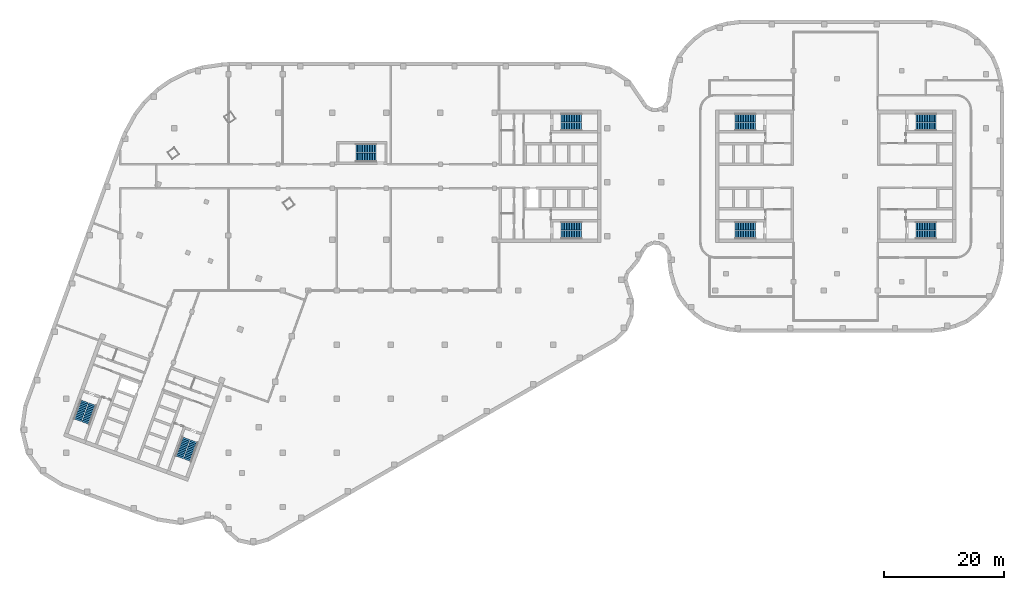
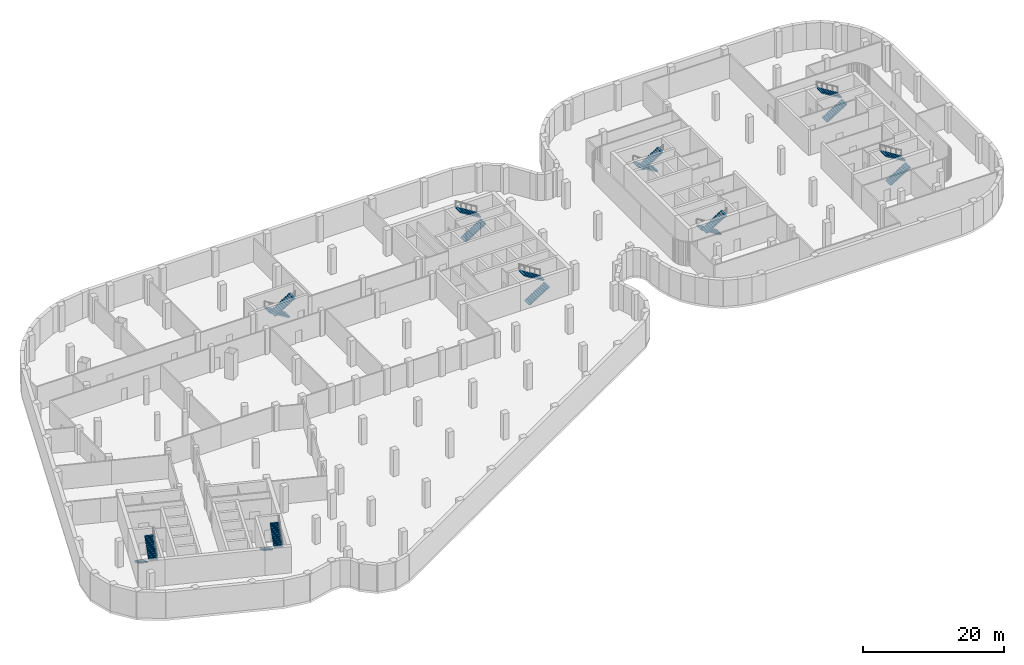
# One storey, part 14 of 16: 18 stair flights, 9 elements without a shape of their own.
"""IFC4 building model written with IfcOpenShell, lengths in metres."""

from ifc_helpers import new_model, si_unit, direction, frame, origin, place, context, subcontext, project, spatial, polyline, outline, extrude, material, type_object, element, aggregate, save


model = new_model("IFC4")

# Units and contexts
model_context = context("Model", 3, precision=1e-05, world=origin(), true_north=direction((0.0, 1.0)))
body_context = subcontext(model_context, "Body", "Model", "MODEL_VIEW")
ifc_project = project(units=[si_unit("LENGTHUNIT", "METRE"), si_unit("AREAUNIT", "SQUARE_METRE"), si_unit("VOLUMEUNIT", "CUBIC_METRE"), si_unit("PLANEANGLEUNIT", "RADIAN"), si_unit("MASSUNIT", "GRAM", prefix="KILO")], contexts=[model_context])

# Site, building, storey
site_placement = place(None, origin())
site = spatial("IfcSite", under=ifc_project, at=site_placement, CompositionType="ELEMENT")
building_placement = place(site_placement, origin())
building = spatial("IfcBuilding", under=site, at=building_placement, Name="Skarvind Civic Tower", CompositionType="ELEMENT")
storey_placement = place(building_placement, frame((0.0, 0.0, -4.5)))
storey = spatial("IfcBuildingStorey", under=building, at=storey_placement, Name="B1", CompositionType="ELEMENT", Elevation=-4.5)

# Stair, stair flights
ifc_material = material(Name="Concrete C40/50", Category="concrete")
stair_type_1 = type_object("IfcStairType", Name="Exit stair 1450, half-turn, concrete", PredefinedType="HALF_TURN_STAIR", material=ifc_material)
stair_1_placement = place(storey_placement, origin())
stair_1 = element("IfcStair", 1, at=stair_1_placement, inside=storey, type_object=stair_type_1, Name="Exit stair CM", PredefinedType="HALF_TURN_STAIR")
stair_flight_type_1 = type_object("IfcStairFlightType", Name="Stair flight 1450, concrete", PredefinedType="STRAIGHT", material=ifc_material)
stair_flight_1_placement = place(storey_placement, frame((70.550048828125, 132.675048828125, 0.0), z_axis=(0.0, 0.0, 1.0), x_axis=(-1.0, 0.0, 0.0)))
stair_flight_1 = element("IfcStairFlight", 2, at=stair_flight_1_placement, type_object=stair_flight_type_1, Name="ST-CM flight 1", NumberOfRisers=13, NumberOfTreads=12, PredefinedType="STRAIGHT", RiserHeight=0.173076923, TreadLength=0.28, context=body_context, shape_type="SweptSolid", body=[
    extrude(outline(polyline([(0.0, 0.0), (0.0, 0.173095703125), (0.280029296875, 0.173095703125), (0.280029296875, 0.34619140625), (0.56005859375, 0.34619140625), (0.56005859375, 0.519287109375), (0.840087890625, 0.519287109375), (0.840087890625, 0.6923828125), (1.1201171875, 0.6923828125), (1.1201171875, 0.865478515625), (1.39990234375, 0.865478515625), (1.39990234375, 1.03857421875), (1.679931640625, 1.03857421875), (1.679931640625, 1.21142578125), (1.9599609375, 1.21142578125), (1.9599609375, 1.384521484375), (2.239990234375, 1.384521484375), (2.239990234375, 1.5576171875), (2.52001953125, 1.5576171875), (2.52001953125, 1.730712890625), (2.800048828125, 1.730712890625), (2.800048828125, 1.90380859375), (3.080078125, 1.90380859375), (3.080078125, 2.076904296875), (3.360107421875, 2.076904296875), (3.360107421875, 2.25), (3.360107421875, 1.900634765625), (0.28515625, 0.0), (0.0, 0.0)])), frame((0.0, 0.72509765625, 0.0), z_axis=(0.0, -1.0, 0.0), x_axis=(1.0, 0.0, 0.0)), (0.0, 0.0, 1.0), 1.449951171875),
])
stair_flight_2_placement = place(storey_placement, frame((67.18994140625, 131.125, 2.25), z_axis=(0.0, 0.0, 1.0), x_axis=(1.0, 0.0, 0.0)))
stair_flight_2 = element("IfcStairFlight", 3, at=stair_flight_2_placement, type_object=stair_flight_type_1, Name="ST-CM flight 2", NumberOfRisers=13, NumberOfTreads=12, PredefinedType="STRAIGHT", RiserHeight=0.173076923, TreadLength=0.28, context=body_context, shape_type="SweptSolid", body=[
    extrude(outline(polyline([(0.0, 0.0), (0.0, 0.173095703125), (0.280029296875, 0.173095703125), (0.280029296875, 0.34619140625), (0.56005859375, 0.34619140625), (0.56005859375, 0.519287109375), (0.840087890625, 0.519287109375), (0.840087890625, 0.6923828125), (1.1201171875, 0.6923828125), (1.1201171875, 0.865478515625), (1.39990234375, 0.865478515625), (1.39990234375, 1.03857421875), (1.679931640625, 1.03857421875), (1.679931640625, 1.21142578125), (1.9599609375, 1.21142578125), (1.9599609375, 1.384521484375), (2.239990234375, 1.384521484375), (2.239990234375, 1.5576171875), (2.52001953125, 1.5576171875), (2.52001953125, 1.730712890625), (2.800048828125, 1.730712890625), (2.800048828125, 1.90380859375), (3.080078125, 1.90380859375), (3.080078125, 2.076904296875), (3.360107421875, 2.076904296875), (3.360107421875, 2.25), (3.360107421875, 1.900634765625), (0.28515625, 0.0), (0.0, 0.0)])), frame((0.0, 0.72509765625, 0.0), z_axis=(0.0, -1.0, 0.0), x_axis=(1.0, 0.0, 0.0)), (0.0, 0.0, 1.0), 1.449951171875),
])
aggregate(stair_1, [stair_flight_1, stair_flight_2])

stair_type_2 = type_object("IfcStairType", Name="Exit stair, half-turn, concrete", PredefinedType="HALF_TURN_STAIR", material=ifc_material)
stair_2_placement = place(storey_placement, origin())
stair_2 = element("IfcStair", 4, at=stair_2_placement, inside=storey, type_object=stair_type_2, Name="Exit stair C1S", PredefinedType="HALF_TURN_STAIR")
stair_flight_type_2 = type_object("IfcStairFlightType", Name="Stair flight, concrete", PredefinedType="STRAIGHT", material=ifc_material)
stair_flight_3_placement = place(storey_placement, frame((101.35009765625, 136.27490234375, 0.0), z_axis=(0.0, 0.0, 1.0), x_axis=(1.0, 0.0, 0.0)))
stair_flight_3 = element("IfcStairFlight", 5, at=stair_flight_3_placement, type_object=stair_flight_type_2, Name="ST-C1S flight 1", NumberOfRisers=13, NumberOfTreads=12, PredefinedType="STRAIGHT", RiserHeight=0.173076923, TreadLength=0.28, context=body_context, shape_type="SweptSolid", body=[
    extrude(outline(polyline([(0.0, 0.0), (0.0, 0.173095703125), (0.280029296875, 0.173095703125), (0.280029296875, 0.34619140625), (0.56005859375, 0.34619140625), (0.56005859375, 0.519287109375), (0.840087890625, 0.519287109375), (0.840087890625, 0.6923828125), (1.1201171875, 0.6923828125), (1.1201171875, 0.865478515625), (1.39990234375, 0.865478515625), (1.39990234375, 1.03857421875), (1.679931640625, 1.03857421875), (1.679931640625, 1.21142578125), (1.9599609375, 1.21142578125), (1.9599609375, 1.384521484375), (2.239990234375, 1.384521484375), (2.239990234375, 1.5576171875), (2.52001953125, 1.5576171875), (2.52001953125, 1.730712890625), (2.800048828125, 1.730712890625), (2.800048828125, 1.90380859375), (3.080078125, 1.90380859375), (3.080078125, 2.076904296875), (3.360107421875, 2.076904296875), (3.360107421875, 2.25), (3.360107421875, 1.900634765625), (0.28515625, 0.0), (0.0, 0.0)])), frame((0.0, 0.675048828125, 0.0), z_axis=(0.0, -1.0, 0.0), x_axis=(1.0, 0.0, 0.0)), (0.0, 0.0, 1.0), 1.35009765625),
])
stair_flight_4_placement = place(storey_placement, frame((104.7099609375, 137.72509765625, 2.25), z_axis=(0.0, 0.0, 1.0), x_axis=(-1.0, 0.0, 0.0)))
stair_flight_4 = element("IfcStairFlight", 6, at=stair_flight_4_placement, type_object=stair_flight_type_2, Name="ST-C1S flight 2", NumberOfRisers=13, NumberOfTreads=12, PredefinedType="STRAIGHT", RiserHeight=0.173076923, TreadLength=0.28, context=body_context, shape_type="SweptSolid", body=[
    extrude(outline(polyline([(0.0, 0.0), (0.0, 0.173095703125), (0.280029296875, 0.173095703125), (0.280029296875, 0.34619140625), (0.56005859375, 0.34619140625), (0.56005859375, 0.519287109375), (0.840087890625, 0.519287109375), (0.840087890625, 0.6923828125), (1.1201171875, 0.6923828125), (1.1201171875, 0.865478515625), (1.39990234375, 0.865478515625), (1.39990234375, 1.03857421875), (1.679931640625, 1.03857421875), (1.679931640625, 1.21142578125), (1.9599609375, 1.21142578125), (1.9599609375, 1.384521484375), (2.239990234375, 1.384521484375), (2.239990234375, 1.5576171875), (2.52001953125, 1.5576171875), (2.52001953125, 1.730712890625), (2.800048828125, 1.730712890625), (2.800048828125, 1.90380859375), (3.080078125, 1.90380859375), (3.080078125, 2.076904296875), (3.360107421875, 2.076904296875), (3.360107421875, 2.25), (3.360107421875, 1.900634765625), (0.28515625, 0.0), (0.0, 0.0)])), frame((0.0, 0.675048828125, 0.0), z_axis=(0.0, -1.0, 0.0), x_axis=(1.0, 0.0, 0.0)), (0.0, 0.0, 1.0), 1.35009765625),
])
aggregate(stair_2, [stair_flight_3, stair_flight_4])

stair_3_placement = place(storey_placement, origin())
stair_3 = element("IfcStair", 7, at=stair_3_placement, inside=storey, type_object=stair_type_2, Name="Exit stair C1N", PredefinedType="HALF_TURN_STAIR")
stair_flight_5_placement = place(storey_placement, frame((101.35009765625, 118.27490234375, 0.0), z_axis=(0.0, 0.0, 1.0), x_axis=(1.0, 0.0, 0.0)))
stair_flight_5 = element("IfcStairFlight", 8, at=stair_flight_5_placement, type_object=stair_flight_type_2, Name="ST-C1N flight 1", NumberOfRisers=13, NumberOfTreads=12, PredefinedType="STRAIGHT", RiserHeight=0.173076923, TreadLength=0.28, context=body_context, shape_type="SweptSolid", body=[
    extrude(outline(polyline([(0.0, 0.0), (0.0, 0.173095703125), (0.280029296875, 0.173095703125), (0.280029296875, 0.34619140625), (0.56005859375, 0.34619140625), (0.56005859375, 0.519287109375), (0.840087890625, 0.519287109375), (0.840087890625, 0.6923828125), (1.1201171875, 0.6923828125), (1.1201171875, 0.865478515625), (1.39990234375, 0.865478515625), (1.39990234375, 1.03857421875), (1.679931640625, 1.03857421875), (1.679931640625, 1.21142578125), (1.9599609375, 1.21142578125), (1.9599609375, 1.384521484375), (2.239990234375, 1.384521484375), (2.239990234375, 1.5576171875), (2.52001953125, 1.5576171875), (2.52001953125, 1.730712890625), (2.800048828125, 1.730712890625), (2.800048828125, 1.90380859375), (3.080078125, 1.90380859375), (3.080078125, 2.076904296875), (3.360107421875, 2.076904296875), (3.360107421875, 2.25), (3.360107421875, 1.900634765625), (0.28515625, 0.0), (0.0, 0.0)])), frame((0.0, 0.675048828125, 0.0), z_axis=(0.0, -1.0, 0.0), x_axis=(1.0, 0.0, 0.0)), (0.0, 0.0, 1.0), 1.35009765625),
])
stair_flight_6_placement = place(storey_placement, frame((104.7099609375, 119.72509765625, 2.25), z_axis=(0.0, 0.0, 1.0), x_axis=(-1.0, 0.0, 0.0)))
stair_flight_6 = element("IfcStairFlight", 9, at=stair_flight_6_placement, type_object=stair_flight_type_2, Name="ST-C1N flight 2", NumberOfRisers=13, NumberOfTreads=12, PredefinedType="STRAIGHT", RiserHeight=0.173076923, TreadLength=0.28, context=body_context, shape_type="SweptSolid", body=[
    extrude(outline(polyline([(0.0, 0.0), (0.0, 0.173095703125), (0.280029296875, 0.173095703125), (0.280029296875, 0.34619140625), (0.56005859375, 0.34619140625), (0.56005859375, 0.519287109375), (0.840087890625, 0.519287109375), (0.840087890625, 0.6923828125), (1.1201171875, 0.6923828125), (1.1201171875, 0.865478515625), (1.39990234375, 0.865478515625), (1.39990234375, 1.03857421875), (1.679931640625, 1.03857421875), (1.679931640625, 1.21142578125), (1.9599609375, 1.21142578125), (1.9599609375, 1.384521484375), (2.239990234375, 1.384521484375), (2.239990234375, 1.5576171875), (2.52001953125, 1.5576171875), (2.52001953125, 1.730712890625), (2.800048828125, 1.730712890625), (2.800048828125, 1.90380859375), (3.080078125, 1.90380859375), (3.080078125, 2.076904296875), (3.360107421875, 2.076904296875), (3.360107421875, 2.25), (3.360107421875, 1.900634765625), (0.28515625, 0.0), (0.0, 0.0)])), frame((0.0, 0.675048828125, 0.0), z_axis=(0.0, -1.0, 0.0), x_axis=(1.0, 0.0, 0.0)), (0.0, 0.0, 1.0), 1.35009765625),
])
aggregate(stair_3, [stair_flight_5, stair_flight_6])

stair_4_placement = place(storey_placement, origin())
stair_4 = element("IfcStair", 10, at=stair_4_placement, inside=storey, type_object=stair_type_2, Name="Exit stair C2S", PredefinedType="HALF_TURN_STAIR")
stair_flight_7_placement = place(storey_placement, frame((38.949462890625, 84.43408203125, 0.0), z_axis=(0.0, 0.0, 1.0), x_axis=(-0.342020143326, -0.939692620786, 0.0)))
stair_flight_7 = element("IfcStairFlight", 11, at=stair_flight_7_placement, type_object=stair_flight_type_2, Name="ST-C2S flight 1", NumberOfRisers=13, NumberOfTreads=12, PredefinedType="STRAIGHT", RiserHeight=0.173076923, TreadLength=0.28, context=body_context, shape_type="SweptSolid", body=[
    extrude(outline(polyline([(0.0, 0.0), (0.0, 0.173095703125), (0.280029296875, 0.173095703125), (0.280029296875, 0.34619140625), (0.56005859375, 0.34619140625), (0.56005859375, 0.519287109375), (0.840087890625, 0.519287109375), (0.840087890625, 0.6923828125), (1.1201171875, 0.6923828125), (1.1201171875, 0.865478515625), (1.39990234375, 0.865478515625), (1.39990234375, 1.03857421875), (1.679931640625, 1.03857421875), (1.679931640625, 1.21142578125), (1.9599609375, 1.21142578125), (1.9599609375, 1.384521484375), (2.239990234375, 1.384521484375), (2.239990234375, 1.5576171875), (2.52001953125, 1.5576171875), (2.52001953125, 1.730712890625), (2.800048828125, 1.730712890625), (2.800048828125, 1.90380859375), (3.080078125, 1.90380859375), (3.080078125, 2.076904296875), (3.360107421875, 2.076904296875), (3.360107421875, 2.25), (3.360107421875, 1.900634765625), (0.28515625, 0.0), (0.0, 0.0)])), frame((0.0, 0.675048828125, 0.0), z_axis=(0.0, -1.0, 0.0), x_axis=(1.0, 0.0, 0.0)), (0.0, 0.0, 1.0), 1.35009765625),
])
stair_flight_8_placement = place(storey_placement, frame((39.162841796875, 80.78076171875, 2.25), z_axis=(0.0, 0.0, 1.0), x_axis=(0.342020143326, 0.939692620786, 0.0)))
stair_flight_8 = element("IfcStairFlight", 12, at=stair_flight_8_placement, type_object=stair_flight_type_2, Name="ST-C2S flight 2", NumberOfRisers=13, NumberOfTreads=12, PredefinedType="STRAIGHT", RiserHeight=0.173076923, TreadLength=0.28, context=body_context, shape_type="SweptSolid", body=[
    extrude(outline(polyline([(0.0, 0.0), (0.0, 0.173095703125), (0.280029296875, 0.173095703125), (0.280029296875, 0.34619140625), (0.56005859375, 0.34619140625), (0.56005859375, 0.519287109375), (0.840087890625, 0.519287109375), (0.840087890625, 0.6923828125), (1.1201171875, 0.6923828125), (1.1201171875, 0.865478515625), (1.39990234375, 0.865478515625), (1.39990234375, 1.03857421875), (1.679931640625, 1.03857421875), (1.679931640625, 1.21142578125), (1.9599609375, 1.21142578125), (1.9599609375, 1.384521484375), (2.239990234375, 1.384521484375), (2.239990234375, 1.5576171875), (2.52001953125, 1.5576171875), (2.52001953125, 1.730712890625), (2.800048828125, 1.730712890625), (2.800048828125, 1.90380859375), (3.080078125, 1.90380859375), (3.080078125, 2.076904296875), (3.360107421875, 2.076904296875), (3.360107421875, 2.25), (3.360107421875, 1.900634765625), (0.28515625, 0.0), (0.0, 0.0)])), frame((0.0, 0.675048828125, 0.0), z_axis=(0.0, -1.0, 0.0), x_axis=(1.0, 0.0, 0.0)), (0.0, 0.0, 1.0), 1.35009765625),
])
aggregate(stair_4, [stair_flight_7, stair_flight_8])

stair_5_placement = place(storey_placement, origin())
stair_5 = element("IfcStair", 13, at=stair_5_placement, inside=storey, type_object=stair_type_2, Name="Exit stair C2N", PredefinedType="HALF_TURN_STAIR")
stair_flight_9_placement = place(storey_placement, frame((22.034912109375, 90.590576171875, 0.0), z_axis=(0.0, 0.0, 1.0), x_axis=(-0.342020143326, -0.939692620786, 0.0)))
stair_flight_9 = element("IfcStairFlight", 14, at=stair_flight_9_placement, type_object=stair_flight_type_2, Name="ST-C2N flight 1", NumberOfRisers=13, NumberOfTreads=12, PredefinedType="STRAIGHT", RiserHeight=0.173076923, TreadLength=0.28, context=body_context, shape_type="SweptSolid", body=[
    extrude(outline(polyline([(0.0, 0.0), (0.0, 0.173095703125), (0.280029296875, 0.173095703125), (0.280029296875, 0.34619140625), (0.56005859375, 0.34619140625), (0.56005859375, 0.519287109375), (0.840087890625, 0.519287109375), (0.840087890625, 0.6923828125), (1.1201171875, 0.6923828125), (1.1201171875, 0.865478515625), (1.39990234375, 0.865478515625), (1.39990234375, 1.03857421875), (1.679931640625, 1.03857421875), (1.679931640625, 1.21142578125), (1.9599609375, 1.21142578125), (1.9599609375, 1.384521484375), (2.239990234375, 1.384521484375), (2.239990234375, 1.5576171875), (2.52001953125, 1.5576171875), (2.52001953125, 1.730712890625), (2.800048828125, 1.730712890625), (2.800048828125, 1.90380859375), (3.080078125, 1.90380859375), (3.080078125, 2.076904296875), (3.360107421875, 2.076904296875), (3.360107421875, 2.25), (3.360107421875, 1.900634765625), (0.28515625, 0.0), (0.0, 0.0)])), frame((0.0, 0.675048828125, 0.0), z_axis=(0.0, -1.0, 0.0), x_axis=(1.0, 0.0, 0.0)), (0.0, 0.0, 1.0), 1.35009765625),
])
stair_flight_10_placement = place(storey_placement, frame((22.248291015625, 86.937255859375, 2.25), z_axis=(0.0, 0.0, 1.0), x_axis=(0.342020143326, 0.939692620786, 0.0)))
stair_flight_10 = element("IfcStairFlight", 15, at=stair_flight_10_placement, type_object=stair_flight_type_2, Name="ST-C2N flight 2", NumberOfRisers=13, NumberOfTreads=12, PredefinedType="STRAIGHT", RiserHeight=0.173076923, TreadLength=0.28, context=body_context, shape_type="SweptSolid", body=[
    extrude(outline(polyline([(0.0, 0.0), (0.0, 0.173095703125), (0.280029296875, 0.173095703125), (0.280029296875, 0.34619140625), (0.56005859375, 0.34619140625), (0.56005859375, 0.519287109375), (0.840087890625, 0.519287109375), (0.840087890625, 0.6923828125), (1.1201171875, 0.6923828125), (1.1201171875, 0.865478515625), (1.39990234375, 0.865478515625), (1.39990234375, 1.03857421875), (1.679931640625, 1.03857421875), (1.679931640625, 1.21142578125), (1.9599609375, 1.21142578125), (1.9599609375, 1.384521484375), (2.239990234375, 1.384521484375), (2.239990234375, 1.5576171875), (2.52001953125, 1.5576171875), (2.52001953125, 1.730712890625), (2.800048828125, 1.730712890625), (2.800048828125, 1.90380859375), (3.080078125, 1.90380859375), (3.080078125, 2.076904296875), (3.360107421875, 2.076904296875), (3.360107421875, 2.25), (3.360107421875, 1.900634765625), (0.28515625, 0.0), (0.0, 0.0)])), frame((0.0, 0.675048828125, 0.0), z_axis=(0.0, -1.0, 0.0), x_axis=(1.0, 0.0, 0.0)), (0.0, 0.0, 1.0), 1.35009765625),
])
aggregate(stair_5, [stair_flight_9, stair_flight_10])

stair_6_placement = place(storey_placement, origin())
stair_6 = element("IfcStair", 16, at=stair_6_placement, inside=storey, type_object=stair_type_2, Name="Exit stair CAS", PredefinedType="HALF_TURN_STAIR")
stair_flight_11_placement = place(storey_placement, frame((133.64990234375, 119.72509765625, 0.0), z_axis=(0.0, 0.0, 1.0), x_axis=(-1.0, 0.0, 0.0)))
stair_flight_11 = element("IfcStairFlight", 17, at=stair_flight_11_placement, type_object=stair_flight_type_2, Name="ST-CAS flight 1", NumberOfRisers=13, NumberOfTreads=12, PredefinedType="STRAIGHT", RiserHeight=0.173076923, TreadLength=0.28, context=body_context, shape_type="SweptSolid", body=[
    extrude(outline(polyline([(0.0, 0.0), (0.0, 0.173095703125), (0.280029296875, 0.173095703125), (0.280029296875, 0.34619140625), (0.56005859375, 0.34619140625), (0.56005859375, 0.519287109375), (0.840087890625, 0.519287109375), (0.840087890625, 0.6923828125), (1.1201171875, 0.6923828125), (1.1201171875, 0.865478515625), (1.39990234375, 0.865478515625), (1.39990234375, 1.03857421875), (1.679931640625, 1.03857421875), (1.679931640625, 1.21142578125), (1.9599609375, 1.21142578125), (1.9599609375, 1.384521484375), (2.239990234375, 1.384521484375), (2.239990234375, 1.5576171875), (2.52001953125, 1.5576171875), (2.52001953125, 1.730712890625), (2.800048828125, 1.730712890625), (2.800048828125, 1.90380859375), (3.080078125, 1.90380859375), (3.080078125, 2.076904296875), (3.360107421875, 2.076904296875), (3.360107421875, 2.25), (3.360107421875, 1.900634765625), (0.28515625, 0.0), (0.0, 0.0)])), frame((0.0, 0.675048828125, 0.0), z_axis=(0.0, -1.0, 0.0), x_axis=(1.0, 0.0, 0.0)), (0.0, 0.0, 1.0), 1.35009765625),
])
stair_flight_12_placement = place(storey_placement, frame((130.2900390625, 118.27490234375, 2.25), z_axis=(0.0, 0.0, 1.0), x_axis=(1.0, 0.0, 0.0)))
stair_flight_12 = element("IfcStairFlight", 18, at=stair_flight_12_placement, type_object=stair_flight_type_2, Name="ST-CAS flight 2", NumberOfRisers=13, NumberOfTreads=12, PredefinedType="STRAIGHT", RiserHeight=0.173076923, TreadLength=0.28, context=body_context, shape_type="SweptSolid", body=[
    extrude(outline(polyline([(0.0, 0.0), (0.0, 0.173095703125), (0.280029296875, 0.173095703125), (0.280029296875, 0.34619140625), (0.56005859375, 0.34619140625), (0.56005859375, 0.519287109375), (0.840087890625, 0.519287109375), (0.840087890625, 0.6923828125), (1.1201171875, 0.6923828125), (1.1201171875, 0.865478515625), (1.39990234375, 0.865478515625), (1.39990234375, 1.03857421875), (1.679931640625, 1.03857421875), (1.679931640625, 1.21142578125), (1.9599609375, 1.21142578125), (1.9599609375, 1.384521484375), (2.239990234375, 1.384521484375), (2.239990234375, 1.5576171875), (2.52001953125, 1.5576171875), (2.52001953125, 1.730712890625), (2.800048828125, 1.730712890625), (2.800048828125, 1.90380859375), (3.080078125, 1.90380859375), (3.080078125, 2.076904296875), (3.360107421875, 2.076904296875), (3.360107421875, 2.25), (3.360107421875, 1.900634765625), (0.28515625, 0.0), (0.0, 0.0)])), frame((0.0, 0.675048828125, 0.0), z_axis=(0.0, -1.0, 0.0), x_axis=(1.0, 0.0, 0.0)), (0.0, 0.0, 1.0), 1.35009765625),
])
aggregate(stair_6, [stair_flight_11, stair_flight_12])

stair_7_placement = place(storey_placement, origin())
stair_7 = element("IfcStair", 19, at=stair_7_placement, inside=storey, type_object=stair_type_2, Name="Exit stair CAN", PredefinedType="HALF_TURN_STAIR")
stair_flight_13_placement = place(storey_placement, frame((133.64990234375, 137.72509765625, 0.0), z_axis=(0.0, 0.0, 1.0), x_axis=(-1.0, 0.0, 0.0)))
stair_flight_13 = element("IfcStairFlight", 20, at=stair_flight_13_placement, type_object=stair_flight_type_2, Name="ST-CAN flight 1", NumberOfRisers=13, NumberOfTreads=12, PredefinedType="STRAIGHT", RiserHeight=0.173076923, TreadLength=0.28, context=body_context, shape_type="SweptSolid", body=[
    extrude(outline(polyline([(0.0, 0.0), (0.0, 0.173095703125), (0.280029296875, 0.173095703125), (0.280029296875, 0.34619140625), (0.56005859375, 0.34619140625), (0.56005859375, 0.519287109375), (0.840087890625, 0.519287109375), (0.840087890625, 0.6923828125), (1.1201171875, 0.6923828125), (1.1201171875, 0.865478515625), (1.39990234375, 0.865478515625), (1.39990234375, 1.03857421875), (1.679931640625, 1.03857421875), (1.679931640625, 1.21142578125), (1.9599609375, 1.21142578125), (1.9599609375, 1.384521484375), (2.239990234375, 1.384521484375), (2.239990234375, 1.5576171875), (2.52001953125, 1.5576171875), (2.52001953125, 1.730712890625), (2.800048828125, 1.730712890625), (2.800048828125, 1.90380859375), (3.080078125, 1.90380859375), (3.080078125, 2.076904296875), (3.360107421875, 2.076904296875), (3.360107421875, 2.25), (3.360107421875, 1.900634765625), (0.28515625, 0.0), (0.0, 0.0)])), frame((0.0, 0.675048828125, 0.0), z_axis=(0.0, -1.0, 0.0), x_axis=(1.0, 0.0, 0.0)), (0.0, 0.0, 1.0), 1.35009765625),
])
stair_flight_14_placement = place(storey_placement, frame((130.2900390625, 136.27490234375, 2.25), z_axis=(0.0, 0.0, 1.0), x_axis=(1.0, 0.0, 0.0)))
stair_flight_14 = element("IfcStairFlight", 21, at=stair_flight_14_placement, type_object=stair_flight_type_2, Name="ST-CAN flight 2", NumberOfRisers=13, NumberOfTreads=12, PredefinedType="STRAIGHT", RiserHeight=0.173076923, TreadLength=0.28, context=body_context, shape_type="SweptSolid", body=[
    extrude(outline(polyline([(0.0, 0.0), (0.0, 0.173095703125), (0.280029296875, 0.173095703125), (0.280029296875, 0.34619140625), (0.56005859375, 0.34619140625), (0.56005859375, 0.519287109375), (0.840087890625, 0.519287109375), (0.840087890625, 0.6923828125), (1.1201171875, 0.6923828125), (1.1201171875, 0.865478515625), (1.39990234375, 0.865478515625), (1.39990234375, 1.03857421875), (1.679931640625, 1.03857421875), (1.679931640625, 1.21142578125), (1.9599609375, 1.21142578125), (1.9599609375, 1.384521484375), (2.239990234375, 1.384521484375), (2.239990234375, 1.5576171875), (2.52001953125, 1.5576171875), (2.52001953125, 1.730712890625), (2.800048828125, 1.730712890625), (2.800048828125, 1.90380859375), (3.080078125, 1.90380859375), (3.080078125, 2.076904296875), (3.360107421875, 2.076904296875), (3.360107421875, 2.25), (3.360107421875, 1.900634765625), (0.28515625, 0.0), (0.0, 0.0)])), frame((0.0, 0.675048828125, 0.0), z_axis=(0.0, -1.0, 0.0), x_axis=(1.0, 0.0, 0.0)), (0.0, 0.0, 1.0), 1.35009765625),
])
aggregate(stair_7, [stair_flight_13, stair_flight_14])

stair_8_placement = place(storey_placement, origin())
stair_8 = element("IfcStair", 22, at=stair_8_placement, inside=storey, type_object=stair_type_2, Name="Exit stair CBS", PredefinedType="HALF_TURN_STAIR")
stair_flight_15_placement = place(storey_placement, frame((160.35009765625, 136.27490234375, 0.0), z_axis=(0.0, 0.0, 1.0), x_axis=(1.0, 0.0, 0.0)))
stair_flight_15 = element("IfcStairFlight", 23, at=stair_flight_15_placement, type_object=stair_flight_type_2, Name="ST-CBS flight 1", NumberOfRisers=13, NumberOfTreads=12, PredefinedType="STRAIGHT", RiserHeight=0.173076923, TreadLength=0.28, context=body_context, shape_type="SweptSolid", body=[
    extrude(outline(polyline([(0.0, 0.0), (0.0, 0.173095703125), (0.280029296875, 0.173095703125), (0.280029296875, 0.34619140625), (0.56005859375, 0.34619140625), (0.56005859375, 0.519287109375), (0.840087890625, 0.519287109375), (0.840087890625, 0.6923828125), (1.1201171875, 0.6923828125), (1.1201171875, 0.865478515625), (1.39990234375, 0.865478515625), (1.39990234375, 1.03857421875), (1.679931640625, 1.03857421875), (1.679931640625, 1.21142578125), (1.9599609375, 1.21142578125), (1.9599609375, 1.384521484375), (2.239990234375, 1.384521484375), (2.239990234375, 1.5576171875), (2.52001953125, 1.5576171875), (2.52001953125, 1.730712890625), (2.800048828125, 1.730712890625), (2.800048828125, 1.90380859375), (3.080078125, 1.90380859375), (3.080078125, 2.076904296875), (3.360107421875, 2.076904296875), (3.360107421875, 2.25), (3.360107421875, 1.900634765625), (0.28515625, 0.0), (0.0, 0.0)])), frame((0.0, 0.675048828125, 0.0), z_axis=(0.0, -1.0, 0.0), x_axis=(1.0, 0.0, 0.0)), (0.0, 0.0, 1.0), 1.35009765625),
])
stair_flight_16_placement = place(storey_placement, frame((163.7099609375, 137.72509765625, 2.25), z_axis=(0.0, 0.0, 1.0), x_axis=(-1.0, 0.0, 0.0)))
stair_flight_16 = element("IfcStairFlight", 24, at=stair_flight_16_placement, type_object=stair_flight_type_2, Name="ST-CBS flight 2", NumberOfRisers=13, NumberOfTreads=12, PredefinedType="STRAIGHT", RiserHeight=0.173076923, TreadLength=0.28, context=body_context, shape_type="SweptSolid", body=[
    extrude(outline(polyline([(0.0, 0.0), (0.0, 0.173095703125), (0.280029296875, 0.173095703125), (0.280029296875, 0.34619140625), (0.56005859375, 0.34619140625), (0.56005859375, 0.519287109375), (0.840087890625, 0.519287109375), (0.840087890625, 0.6923828125), (1.1201171875, 0.6923828125), (1.1201171875, 0.865478515625), (1.39990234375, 0.865478515625), (1.39990234375, 1.03857421875), (1.679931640625, 1.03857421875), (1.679931640625, 1.21142578125), (1.9599609375, 1.21142578125), (1.9599609375, 1.384521484375), (2.239990234375, 1.384521484375), (2.239990234375, 1.5576171875), (2.52001953125, 1.5576171875), (2.52001953125, 1.730712890625), (2.800048828125, 1.730712890625), (2.800048828125, 1.90380859375), (3.080078125, 1.90380859375), (3.080078125, 2.076904296875), (3.360107421875, 2.076904296875), (3.360107421875, 2.25), (3.360107421875, 1.900634765625), (0.28515625, 0.0), (0.0, 0.0)])), frame((0.0, 0.675048828125, 0.0), z_axis=(0.0, -1.0, 0.0), x_axis=(1.0, 0.0, 0.0)), (0.0, 0.0, 1.0), 1.35009765625),
])
aggregate(stair_8, [stair_flight_15, stair_flight_16])

stair_9_placement = place(storey_placement, origin())
stair_9 = element("IfcStair", 25, at=stair_9_placement, inside=storey, type_object=stair_type_2, Name="Exit stair CBN", PredefinedType="HALF_TURN_STAIR")
stair_flight_17_placement = place(storey_placement, frame((160.35009765625, 118.27490234375, 0.0), z_axis=(0.0, 0.0, 1.0), x_axis=(1.0, 0.0, 0.0)))
stair_flight_17 = element("IfcStairFlight", 26, at=stair_flight_17_placement, type_object=stair_flight_type_2, Name="ST-CBN flight 1", NumberOfRisers=13, NumberOfTreads=12, PredefinedType="STRAIGHT", RiserHeight=0.173076923, TreadLength=0.28, context=body_context, shape_type="SweptSolid", body=[
    extrude(outline(polyline([(0.0, 0.0), (0.0, 0.173095703125), (0.280029296875, 0.173095703125), (0.280029296875, 0.34619140625), (0.56005859375, 0.34619140625), (0.56005859375, 0.519287109375), (0.840087890625, 0.519287109375), (0.840087890625, 0.6923828125), (1.1201171875, 0.6923828125), (1.1201171875, 0.865478515625), (1.39990234375, 0.865478515625), (1.39990234375, 1.03857421875), (1.679931640625, 1.03857421875), (1.679931640625, 1.21142578125), (1.9599609375, 1.21142578125), (1.9599609375, 1.384521484375), (2.239990234375, 1.384521484375), (2.239990234375, 1.5576171875), (2.52001953125, 1.5576171875), (2.52001953125, 1.730712890625), (2.800048828125, 1.730712890625), (2.800048828125, 1.90380859375), (3.080078125, 1.90380859375), (3.080078125, 2.076904296875), (3.360107421875, 2.076904296875), (3.360107421875, 2.25), (3.360107421875, 1.900634765625), (0.28515625, 0.0), (0.0, 0.0)])), frame((0.0, 0.675048828125, 0.0), z_axis=(0.0, -1.0, 0.0), x_axis=(1.0, 0.0, 0.0)), (0.0, 0.0, 1.0), 1.35009765625),
])
stair_flight_18_placement = place(storey_placement, frame((163.7099609375, 119.72509765625, 2.25), z_axis=(0.0, 0.0, 1.0), x_axis=(-1.0, 0.0, 0.0)))
stair_flight_18 = element("IfcStairFlight", 27, at=stair_flight_18_placement, type_object=stair_flight_type_2, Name="ST-CBN flight 2", NumberOfRisers=13, NumberOfTreads=12, PredefinedType="STRAIGHT", RiserHeight=0.173076923, TreadLength=0.28, context=body_context, shape_type="SweptSolid", body=[
    extrude(outline(polyline([(0.0, 0.0), (0.0, 0.173095703125), (0.280029296875, 0.173095703125), (0.280029296875, 0.34619140625), (0.56005859375, 0.34619140625), (0.56005859375, 0.519287109375), (0.840087890625, 0.519287109375), (0.840087890625, 0.6923828125), (1.1201171875, 0.6923828125), (1.1201171875, 0.865478515625), (1.39990234375, 0.865478515625), (1.39990234375, 1.03857421875), (1.679931640625, 1.03857421875), (1.679931640625, 1.21142578125), (1.9599609375, 1.21142578125), (1.9599609375, 1.384521484375), (2.239990234375, 1.384521484375), (2.239990234375, 1.5576171875), (2.52001953125, 1.5576171875), (2.52001953125, 1.730712890625), (2.800048828125, 1.730712890625), (2.800048828125, 1.90380859375), (3.080078125, 1.90380859375), (3.080078125, 2.076904296875), (3.360107421875, 2.076904296875), (3.360107421875, 2.25), (3.360107421875, 1.900634765625), (0.28515625, 0.0), (0.0, 0.0)])), frame((0.0, 0.675048828125, 0.0), z_axis=(0.0, -1.0, 0.0), x_axis=(1.0, 0.0, 0.0)), (0.0, 0.0, 1.0), 1.35009765625),
])
aggregate(stair_9, [stair_flight_17, stair_flight_18])

save(model, "model.ifc")
